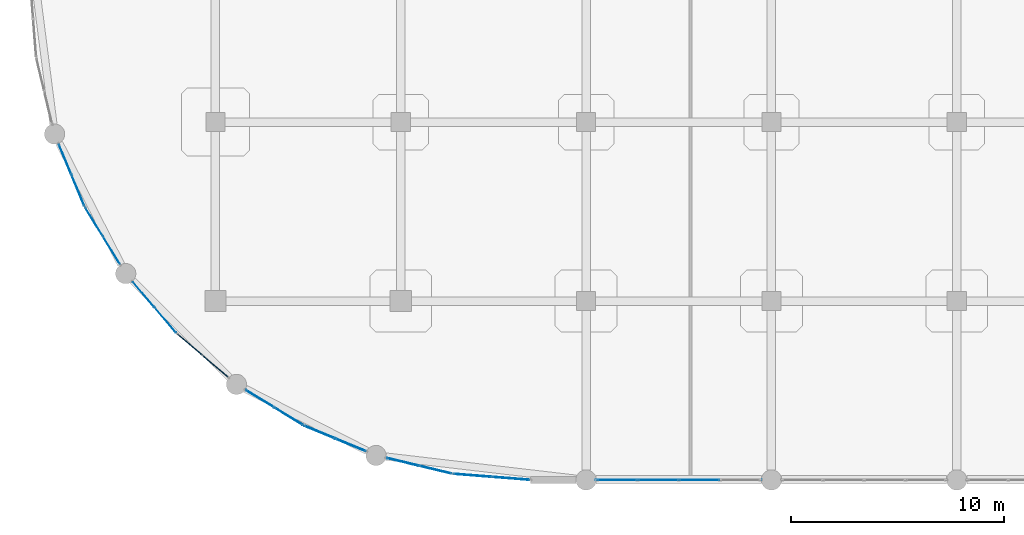
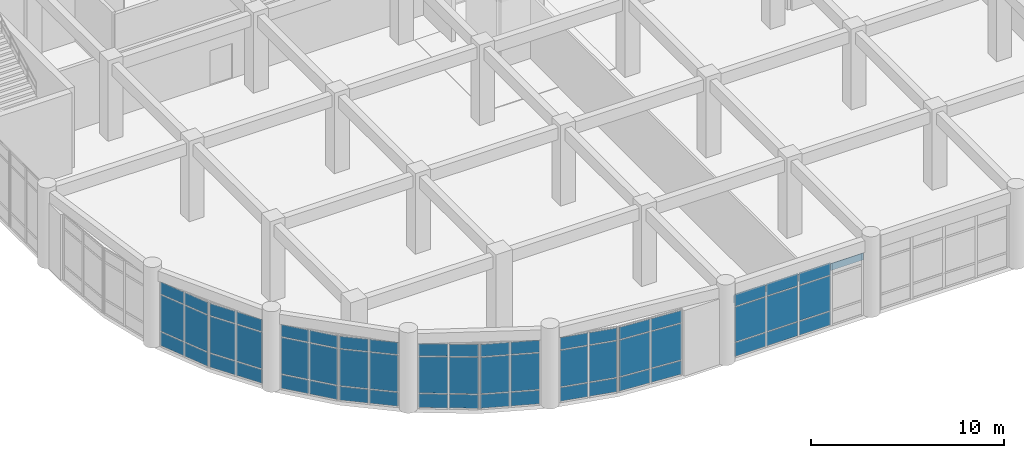
# One storey, part 85 of 120: 58 plates, 9 elements without a shape of their own.
"""IFC4 building model written with IfcOpenShell, lengths in metres."""

from ifc_helpers import new_model, si_unit, derived_unit, direction, frame, origin, origin_2d, place, context, subcontext, project, spatial, rectangle, extrude, material, layer, layer_set, type_object, element, aggregate, save


model = new_model("IFC4")

# Units and contexts
model_context = context("Model", 3, precision=1e-05, world=origin(), true_north=direction((0.0, 1.0)))
body_context = subcontext(model_context, "Body", "Model", "MODEL_VIEW")
ifc_project = project(units=[si_unit("LENGTHUNIT", "METRE"), si_unit("AREAUNIT", "SQUARE_METRE"), si_unit("VOLUMEUNIT", "CUBIC_METRE"), si_unit("PLANEANGLEUNIT", "RADIAN"), si_unit("MASSUNIT", "GRAM", prefix="KILO"), derived_unit("THERMALTRANSMITTANCEUNIT", [(si_unit("MASSUNIT", "GRAM", prefix="KILO"), 1), (si_unit("TIMEUNIT", "SECOND"), -3), (si_unit("THERMODYNAMICTEMPERATUREUNIT", "KELVIN"), -1)])], contexts=[model_context])

# Site, building, storey
site_placement = place(None, origin())
site = spatial("IfcSite", under=ifc_project, at=site_placement, CompositionType="ELEMENT")
building_placement = place(site_placement, origin())
building = spatial("IfcBuilding", under=site, at=building_placement, Name="Qinzheling Arcade Emporium", CompositionType="ELEMENT")
storey_placement = place(building_placement, frame((0.0, 0.0, 11.39990234375)))
storey = spatial("IfcBuildingStorey", under=building, at=storey_placement, Name="L03", CompositionType="ELEMENT", Elevation=11.39990234375)

# Curtain wall, plates
ifc_material_1 = material(Name="Anodised aluminium and solar-control double glazing", Category="aluminium")
ifc_layer_1 = layer(ifc_material_1, 0.159912109375, Name="Anodised aluminium and solar-control double glazing", Category="aluminium")
ifc_layer_set_1 = layer_set([ifc_layer_1], Name="Anodised aluminium and solar-control double glazing")
curtain_wall_type_1 = type_object("IfcCurtainWallType", Name="Curved Ribbon Sales Curtain Wall", PredefinedType="NOTDEFINED", material=ifc_layer_set_1)
curtain_wall_1_placement = place(storey_placement, origin())
curtain_wall_1 = element("IfcCurtainWall", 1, at=curtain_wall_1_placement, inside=storey, type_object=curtain_wall_type_1, Name="Curtain Wall CW-L03-158", PredefinedType="NOTDEFINED")
ifc_material_2 = material(Name="Laminated solar-control double glazing", Category="glass")
ifc_layer_2 = layer(ifc_material_2, 0.02099609375, Name="Laminated solar-control double glazing", Category="glass")
ifc_layer_set_2 = layer_set([ifc_layer_2], Name="Laminated solar-control double glazing")
plate_type_1 = type_object("IfcPlateType", Name="Low-E Double Glazed Curtain Panel 21mm", PredefinedType="CURTAIN_PANEL", material=ifc_layer_set_2)
plate_1_placement = place(storey_placement, frame((6.35205078125, 7.504638671875, 0.06005859375), z_axis=(0.0, 0.0, 1.0), x_axis=(-0.649482098021, 0.760376883098, 0.0)))
plate_1 = element("IfcPlate", 2, at=plate_1_placement, type_object=plate_type_1, Name="CW02 panel 1.1", PredefinedType="CURTAIN_PANEL", context=body_context, shape_type="SweptSolid", body=[
    extrude(rectangle(XDim=1.51513671875, YDim=0.02099609375, at=origin_2d()), origin(), (0.0, 0.0, 1.0), 0.860107421875),
])
plate_2_placement = place(storey_placement, frame((6.35205078125, 7.504638671875, 0.980224609375), z_axis=(0.0, 0.0, 1.0), x_axis=(-0.649482098021, 0.760376883098, 0.0)))
plate_2 = element("IfcPlate", 3, at=plate_2_placement, type_object=plate_type_1, Name="CW02 panel 1.2", PredefinedType="CURTAIN_PANEL", context=body_context, shape_type="SweptSolid", body=[
    extrude(rectangle(XDim=1.51513671875, YDim=0.02099609375, at=origin_2d()), origin(), (0.0, 0.0, 1.0), 2.294921875),
])
plate_3_placement = place(storey_placement, frame((6.35205078125, 7.504638671875, 3.3349609375), z_axis=(0.0, 0.0, 1.0), x_axis=(-0.649482098021, 0.760376883098, 0.0)))
plate_3 = element("IfcPlate", 4, at=plate_3_placement, type_object=plate_type_1, Name="CW02 panel 1.3", PredefinedType="CURTAIN_PANEL", context=body_context, shape_type="SweptSolid", body=[
    extrude(rectangle(XDim=1.51513671875, YDim=0.02099609375, at=origin_2d()), origin(), (0.0, 0.0, 1.0), 0.760009765625),
])
plate_4_placement = place(storey_placement, frame((5.3291015625, 8.702392578125, 0.06005859375), z_axis=(0.0, 0.0, 1.0), x_axis=(-0.649482098021, 0.760376883098, 0.0)))
plate_4 = element("IfcPlate", 5, at=plate_4_placement, type_object=plate_type_1, Name="CW02 panel 2.1", PredefinedType="CURTAIN_PANEL", context=body_context, shape_type="SweptSolid", body=[
    extrude(rectangle(XDim=1.51513671875, YDim=0.02099609375, at=origin_2d()), origin(), (0.0, 0.0, 1.0), 0.860107421875),
])
plate_5_placement = place(storey_placement, frame((5.3291015625, 8.702392578125, 0.980224609375), z_axis=(0.0, 0.0, 1.0), x_axis=(-0.649482098021, 0.760376883098, 0.0)))
plate_5 = element("IfcPlate", 6, at=plate_5_placement, type_object=plate_type_1, Name="CW02 panel 2.2", PredefinedType="CURTAIN_PANEL", context=body_context, shape_type="SweptSolid", body=[
    extrude(rectangle(XDim=1.51513671875, YDim=0.02099609375, at=origin_2d()), origin(), (0.0, 0.0, 1.0), 2.294921875),
])
plate_6_placement = place(storey_placement, frame((5.3291015625, 8.702392578125, 3.3349609375), z_axis=(0.0, 0.0, 1.0), x_axis=(-0.649482098021, 0.760376883098, 0.0)))
plate_6 = element("IfcPlate", 7, at=plate_6_placement, type_object=plate_type_1, Name="CW02 panel 2.3", PredefinedType="CURTAIN_PANEL", context=body_context, shape_type="SweptSolid", body=[
    extrude(rectangle(XDim=1.51513671875, YDim=0.02099609375, at=origin_2d()), origin(), (0.0, 0.0, 1.0), 0.760009765625),
])
aggregate(curtain_wall_1, [plate_1, plate_2, plate_3, plate_4, plate_5, plate_6])

curtain_wall_2_placement = place(storey_placement, origin())
curtain_wall_2 = element("IfcCurtainWall", 8, at=curtain_wall_2_placement, inside=storey, type_object=curtain_wall_type_1, Name="Curtain Wall CW-L03-159", PredefinedType="NOTDEFINED")
ifc_layer_3 = layer(ifc_material_2, 0.02197265625, Name="Laminated solar-control double glazing", Category="glass")
ifc_layer_set_3 = layer_set([ifc_layer_3], Name="Laminated solar-control double glazing")
plate_type_2 = type_object("IfcPlateType", Name="Low-E Double Glazed Curtain Panel 22mm", PredefinedType="CURTAIN_PANEL", material=ifc_layer_set_3)
plate_7_placement = place(storey_placement, frame((3.811767578125, 10.791015625, 0.06005859375), z_axis=(0.0, 0.0, 1.0), x_axis=(-0.522671615243, 0.852534094696, 0.0)))
plate_7 = element("IfcPlate", 9, at=plate_7_placement, type_object=plate_type_2, Name="CW02 panel 1.1", PredefinedType="CURTAIN_PANEL", context=body_context, shape_type="SweptSolid", body=[
    extrude(rectangle(XDim=1.51513671875, YDim=0.02197265625, at=origin_2d()), origin(), (0.0, 0.0, 1.0), 0.860107421875),
])
plate_8_placement = place(storey_placement, frame((3.811767578125, 10.791015625, 0.980224609375), z_axis=(0.0, 0.0, 1.0), x_axis=(-0.522671615243, 0.852534094696, 0.0)))
plate_8 = element("IfcPlate", 10, at=plate_8_placement, type_object=plate_type_2, Name="CW02 panel 1.2", PredefinedType="CURTAIN_PANEL", context=body_context, shape_type="SweptSolid", body=[
    extrude(rectangle(XDim=1.51513671875, YDim=0.02197265625, at=origin_2d()), origin(), (0.0, 0.0, 1.0), 2.294921875),
])
plate_9_placement = place(storey_placement, frame((3.811767578125, 10.791015625, 3.3349609375), z_axis=(0.0, 0.0, 1.0), x_axis=(-0.522671615243, 0.852534094696, 0.0)))
plate_9 = element("IfcPlate", 11, at=plate_9_placement, type_object=plate_type_2, Name="CW02 panel 1.3", PredefinedType="CURTAIN_PANEL", context=body_context, shape_type="SweptSolid", body=[
    extrude(rectangle(XDim=1.51513671875, YDim=0.02197265625, at=origin_2d()), origin(), (0.0, 0.0, 1.0), 0.760009765625),
])
plate_10_placement = place(storey_placement, frame((2.98828125, 12.134033203125, 0.06005859375), z_axis=(0.0, 0.0, 1.0), x_axis=(-0.522671615243, 0.852534094696, 0.0)))
plate_10 = element("IfcPlate", 12, at=plate_10_placement, type_object=plate_type_2, Name="CW02 panel 2.1", PredefinedType="CURTAIN_PANEL", context=body_context, shape_type="SweptSolid", body=[
    extrude(rectangle(XDim=1.51513671875, YDim=0.02197265625, at=origin_2d()), origin(), (0.0, 0.0, 1.0), 0.860107421875),
])
plate_11_placement = place(storey_placement, frame((2.98828125, 12.134033203125, 0.980224609375), z_axis=(0.0, 0.0, 1.0), x_axis=(-0.522671615243, 0.852534094696, 0.0)))
plate_11 = element("IfcPlate", 13, at=plate_11_placement, type_object=plate_type_2, Name="CW02 panel 2.2", PredefinedType="CURTAIN_PANEL", context=body_context, shape_type="SweptSolid", body=[
    extrude(rectangle(XDim=1.51513671875, YDim=0.02197265625, at=origin_2d()), origin(), (0.0, 0.0, 1.0), 2.294921875),
])
plate_12_placement = place(storey_placement, frame((2.98828125, 12.134033203125, 3.3349609375), z_axis=(0.0, 0.0, 1.0), x_axis=(-0.522671615243, 0.852534094696, 0.0)))
plate_12 = element("IfcPlate", 14, at=plate_12_placement, type_object=plate_type_2, Name="CW02 panel 2.3", PredefinedType="CURTAIN_PANEL", context=body_context, shape_type="SweptSolid", body=[
    extrude(rectangle(XDim=1.51513671875, YDim=0.02197265625, at=origin_2d()), origin(), (0.0, 0.0, 1.0), 0.760009765625),
])
aggregate(curtain_wall_2, [plate_7, plate_8, plate_9, plate_10, plate_11, plate_12])

curtain_wall_3_placement = place(storey_placement, origin())
curtain_wall_3 = element("IfcCurtainWall", 15, at=curtain_wall_3_placement, inside=storey, type_object=curtain_wall_type_1, Name="Curtain Wall CW-L03-160", PredefinedType="NOTDEFINED")
ifc_layer_4 = layer(ifc_material_2, 0.02392578125, Name="Laminated solar-control double glazing", Category="glass")
ifc_layer_set_4 = layer_set([ifc_layer_4], Name="Laminated solar-control double glazing")
plate_type_3 = type_object("IfcPlateType", Name="Low-E Double Glazed Curtain Panel 24mm", PredefinedType="CURTAIN_PANEL", material=ifc_layer_set_4)
plate_13_placement = place(storey_placement, frame((2.248291015625, 13.58642578125, 0.06005859375), z_axis=(0.0, 0.0, 1.0), x_axis=(-0.382535212849, 0.923940913117, 0.0)))
plate_13 = element("IfcPlate", 16, at=plate_13_placement, type_object=plate_type_3, Name="CW02 panel 1.1", PredefinedType="CURTAIN_PANEL", context=body_context, shape_type="SweptSolid", body=[
    extrude(rectangle(XDim=1.51513671875, YDim=0.02392578125, at=origin_2d()), origin(), (0.0, 0.0, 1.0), 0.860107421875),
])
plate_14_placement = place(storey_placement, frame((2.248291015625, 13.58642578125, 0.980224609375), z_axis=(0.0, 0.0, 1.0), x_axis=(-0.382535212849, 0.923940913117, 0.0)))
plate_14 = element("IfcPlate", 17, at=plate_14_placement, type_object=plate_type_3, Name="CW02 panel 1.2", PredefinedType="CURTAIN_PANEL", context=body_context, shape_type="SweptSolid", body=[
    extrude(rectangle(XDim=1.51513671875, YDim=0.02392578125, at=origin_2d()), origin(), (0.0, 0.0, 1.0), 2.294921875),
])
plate_15_placement = place(storey_placement, frame((2.248291015625, 13.58642578125, 3.3349609375), z_axis=(0.0, 0.0, 1.0), x_axis=(-0.382535212849, 0.923940913117, 0.0)))
plate_15 = element("IfcPlate", 18, at=plate_15_placement, type_object=plate_type_3, Name="CW02 panel 1.3", PredefinedType="CURTAIN_PANEL", context=body_context, shape_type="SweptSolid", body=[
    extrude(rectangle(XDim=1.51513671875, YDim=0.02392578125, at=origin_2d()), origin(), (0.0, 0.0, 1.0), 0.760009765625),
])
plate_16_placement = place(storey_placement, frame((1.645751953125, 15.041748046875, 0.06005859375), z_axis=(0.0, 0.0, 1.0), x_axis=(-0.382535212849, 0.923940913117, 0.0)))
plate_16 = element("IfcPlate", 19, at=plate_16_placement, type_object=plate_type_3, Name="CW02 panel 2.1", PredefinedType="CURTAIN_PANEL", context=body_context, shape_type="SweptSolid", body=[
    extrude(rectangle(XDim=1.51513671875, YDim=0.02392578125, at=origin_2d()), origin(), (0.0, 0.0, 1.0), 0.860107421875),
])
plate_17_placement = place(storey_placement, frame((1.645751953125, 15.041748046875, 0.980224609375), z_axis=(0.0, 0.0, 1.0), x_axis=(-0.382535212849, 0.923940913117, 0.0)))
plate_17 = element("IfcPlate", 20, at=plate_17_placement, type_object=plate_type_3, Name="CW02 panel 2.2", PredefinedType="CURTAIN_PANEL", context=body_context, shape_type="SweptSolid", body=[
    extrude(rectangle(XDim=1.51513671875, YDim=0.02392578125, at=origin_2d()), origin(), (0.0, 0.0, 1.0), 2.294921875),
])
plate_18_placement = place(storey_placement, frame((1.645751953125, 15.041748046875, 3.3349609375), z_axis=(0.0, 0.0, 1.0), x_axis=(-0.382535212849, 0.923940913117, 0.0)))
plate_18 = element("IfcPlate", 21, at=plate_18_placement, type_object=plate_type_3, Name="CW02 panel 2.3", PredefinedType="CURTAIN_PANEL", context=body_context, shape_type="SweptSolid", body=[
    extrude(rectangle(XDim=1.51513671875, YDim=0.02392578125, at=origin_2d()), origin(), (0.0, 0.0, 1.0), 0.760009765625),
])
aggregate(curtain_wall_3, [plate_13, plate_14, plate_15, plate_16, plate_17, plate_18])

ifc_layer_5 = layer(ifc_material_1, 0.159912109375, Name="Anodised aluminium and solar-control double glazing", Category="aluminium")
ifc_layer_set_5 = layer_set([ifc_layer_5], Name="Anodised aluminium and solar-control double glazing")
curtain_wall_type_2 = type_object("IfcCurtainWallType", Name="Arcade Portal Glazed Curtain Wall", PredefinedType="NOTDEFINED", material=ifc_layer_set_5)
curtain_wall_4_placement = place(storey_placement, origin())
curtain_wall_4 = element("IfcCurtainWall", 22, at=curtain_wall_4_placement, inside=storey, type_object=curtain_wall_type_2, Name="Curtain Wall CW-L03-152", PredefinedType="NOTDEFINED")
ifc_layer_6 = layer(ifc_material_2, 0.031982421875, Name="Laminated solar-control double glazing", Category="glass")
ifc_layer_set_6 = layer_set([ifc_layer_6], Name="Laminated solar-control double glazing")
plate_type_4 = type_object("IfcPlateType", Name="Low-E Double Glazed Curtain Panel 32mm", PredefinedType="CURTAIN_PANEL", material=ifc_layer_set_6)
plate_19_placement = place(storey_placement, frame((31.418212890625, 0.0, 0.06005859375), z_axis=(0.0, 0.0, 1.0), x_axis=(-1.0, 0.0, 0.0)))
plate_19 = element("IfcPlate", 23, at=plate_19_placement, type_object=plate_type_4, Name="CW05 panel 2.1", PredefinedType="CURTAIN_PANEL", context=body_context, shape_type="SweptSolid", body=[
    extrude(rectangle(XDim=1.87646484375, YDim=0.031982421875, at=origin_2d()), origin(), (0.0, 0.0, 1.0), 0.860107421875),
])
plate_20_placement = place(storey_placement, frame((31.418212890625, 0.0, 0.97998046875), z_axis=(0.0, 0.0, 1.0), x_axis=(-1.0, 0.0, 0.0)))
plate_20 = element("IfcPlate", 24, at=plate_20_placement, type_object=plate_type_4, Name="CW05 panel 2.2", PredefinedType="CURTAIN_PANEL", context=body_context, shape_type="SweptSolid", body=[
    extrude(rectangle(XDim=1.87646484375, YDim=0.031982421875, at=origin_2d()), origin(), (0.0, 0.0, 1.0), 2.195068359375),
])
plate_21_placement = place(storey_placement, frame((31.418212890625, 0.0, 3.23486328125), z_axis=(0.0, 0.0, 1.0), x_axis=(-1.0, 0.0, 0.0)))
plate_21 = element("IfcPlate", 25, at=plate_21_placement, type_object=plate_type_4, Name="CW05 panel 2.3", PredefinedType="CURTAIN_PANEL", context=body_context, shape_type="SweptSolid", body=[
    extrude(rectangle(XDim=1.87646484375, YDim=0.031982421875, at=origin_2d()), origin(), (0.0, 0.0, 1.0), 0.760009765625),
])
plate_22_placement = place(storey_placement, frame((29.481689453125, 0.0, 0.06005859375), z_axis=(0.0, 0.0, 1.0), x_axis=(-1.0, 0.0, 0.0)))
plate_22 = element("IfcPlate", 26, at=plate_22_placement, type_object=plate_type_4, Name="CW05 panel 3.1", PredefinedType="CURTAIN_PANEL", context=body_context, shape_type="SweptSolid", body=[
    extrude(rectangle(XDim=1.87646484375, YDim=0.031982421875, at=origin_2d()), origin(), (0.0, 0.0, 1.0), 0.860107421875),
])
plate_23_placement = place(storey_placement, frame((29.481689453125, 0.0, 0.97998046875), z_axis=(0.0, 0.0, 1.0), x_axis=(-1.0, 0.0, 0.0)))
plate_23 = element("IfcPlate", 27, at=plate_23_placement, type_object=plate_type_4, Name="CW05 panel 3.2", PredefinedType="CURTAIN_PANEL", context=body_context, shape_type="SweptSolid", body=[
    extrude(rectangle(XDim=1.87646484375, YDim=0.031982421875, at=origin_2d()), origin(), (0.0, 0.0, 1.0), 2.195068359375),
])
plate_24_placement = place(storey_placement, frame((29.481689453125, 0.0, 3.23486328125), z_axis=(0.0, 0.0, 1.0), x_axis=(-1.0, 0.0, 0.0)))
plate_24 = element("IfcPlate", 28, at=plate_24_placement, type_object=plate_type_4, Name="CW05 panel 3.3", PredefinedType="CURTAIN_PANEL", context=body_context, shape_type="SweptSolid", body=[
    extrude(rectangle(XDim=1.87646484375, YDim=0.031982421875, at=origin_2d()), origin(), (0.0, 0.0, 1.0), 0.760009765625),
])
plate_25_placement = place(storey_placement, frame((27.560302734375, 0.0, 0.06005859375), z_axis=(0.0, 0.0, 1.0), x_axis=(-1.0, 0.0, 0.0)))
plate_25 = element("IfcPlate", 29, at=plate_25_placement, type_object=plate_type_4, Name="CW05 panel 4.1", PredefinedType="CURTAIN_PANEL", context=body_context, shape_type="SweptSolid", body=[
    extrude(rectangle(XDim=1.846435546875, YDim=0.031982421875, at=origin_2d()), origin(), (0.0, 0.0, 1.0), 0.860107421875),
])
plate_26_placement = place(storey_placement, frame((27.560302734375, 0.0, 0.97998046875), z_axis=(0.0, 0.0, 1.0), x_axis=(-1.0, 0.0, 0.0)))
plate_26 = element("IfcPlate", 30, at=plate_26_placement, type_object=plate_type_4, Name="CW05 panel 4.2", PredefinedType="CURTAIN_PANEL", context=body_context, shape_type="SweptSolid", body=[
    extrude(rectangle(XDim=1.846435546875, YDim=0.031982421875, at=origin_2d()), origin(), (0.0, 0.0, 1.0), 2.195068359375),
])
plate_27_placement = place(storey_placement, frame((27.560302734375, 0.0, 3.23486328125), z_axis=(0.0, 0.0, 1.0), x_axis=(-1.0, 0.0, 0.0)))
plate_27 = element("IfcPlate", 31, at=plate_27_placement, type_object=plate_type_4, Name="CW05 panel 4.3", PredefinedType="CURTAIN_PANEL", context=body_context, shape_type="SweptSolid", body=[
    extrude(rectangle(XDim=1.846435546875, YDim=0.031982421875, at=origin_2d()), origin(), (0.0, 0.0, 1.0), 0.760009765625),
])
aggregate(curtain_wall_4, [plate_19, plate_20, plate_21, plate_22, plate_23, plate_24, plate_25, plate_26, plate_27])

curtain_wall_5_placement = place(storey_placement, origin())
curtain_wall_5 = element("IfcCurtainWall", 32, at=curtain_wall_5_placement, inside=storey, type_object=curtain_wall_type_1, Name="Curtain Wall CW-L03-153", PredefinedType="NOTDEFINED")
ifc_layer_7 = layer(ifc_material_2, 0.033935546875, Name="Laminated solar-control double glazing", Category="glass")
ifc_layer_set_7 = layer_set([ifc_layer_7], Name="Laminated solar-control double glazing")
plate_type_5 = type_object("IfcPlateType", Name="Low-E Double Glazed Curtain Panel 34mm", PredefinedType="CURTAIN_PANEL", material=ifc_layer_set_7)
plate_28_placement = place(storey_placement, frame((22.566162109375, 0.073486328125, 0.06005859375), z_axis=(0.0, 0.0, 1.0), x_axis=(-0.996923852542, 0.078376222365, 0.0)))
plate_28 = element("IfcPlate", 33, at=plate_28_placement, type_object=plate_type_5, Name="CW02 panel 1.1", PredefinedType="CURTAIN_PANEL", context=body_context, shape_type="SweptSolid", body=[
    extrude(rectangle(XDim=1.753662109375, YDim=0.033935546875, at=origin_2d()), origin(), (0.0, 0.0, 1.0), 0.860107421875),
])
plate_29_placement = place(storey_placement, frame((22.566162109375, 0.073486328125, 0.980224609375), z_axis=(0.0, 0.0, 1.0), x_axis=(-0.996923852542, 0.078376222365, 0.0)))
plate_29 = element("IfcPlate", 34, at=plate_29_placement, type_object=plate_type_5, Name="CW02 panel 1.2", PredefinedType="CURTAIN_PANEL", context=body_context, shape_type="SweptSolid", body=[
    extrude(rectangle(XDim=1.753662109375, YDim=0.033935546875, at=origin_2d()), origin(), (0.0, 0.0, 1.0), 2.294921875),
])
plate_30_placement = place(storey_placement, frame((22.566162109375, 0.073486328125, 3.3349609375), z_axis=(0.0, 0.0, 1.0), x_axis=(-0.996923852542, 0.078376222365, 0.0)))
plate_30 = element("IfcPlate", 35, at=plate_30_placement, type_object=plate_type_5, Name="CW02 panel 1.3", PredefinedType="CURTAIN_PANEL", context=body_context, shape_type="SweptSolid", body=[
    extrude(rectangle(XDim=1.753662109375, YDim=0.033935546875, at=origin_2d()), origin(), (0.0, 0.0, 1.0), 0.760009765625),
])
plate_31_placement = place(storey_placement, frame((20.758056640625, 0.215576171875, 0.06005859375), z_axis=(0.0, 0.0, 1.0), x_axis=(-0.996923852542, 0.078376222365, 0.0)))
plate_31 = element("IfcPlate", 36, at=plate_31_placement, type_object=plate_type_5, Name="CW02 panel 2.1", PredefinedType="CURTAIN_PANEL", context=body_context, shape_type="SweptSolid", body=[
    extrude(rectangle(XDim=1.753662109375, YDim=0.033935546875, at=origin_2d()), origin(), (0.0, 0.0, 1.0), 0.860107421875),
])
plate_32_placement = place(storey_placement, frame((20.758056640625, 0.215576171875, 0.980224609375), z_axis=(0.0, 0.0, 1.0), x_axis=(-0.996923852542, 0.078376222365, 0.0)))
plate_32 = element("IfcPlate", 37, at=plate_32_placement, type_object=plate_type_5, Name="CW02 panel 2.2", PredefinedType="CURTAIN_PANEL", context=body_context, shape_type="SweptSolid", body=[
    extrude(rectangle(XDim=1.753662109375, YDim=0.033935546875, at=origin_2d()), origin(), (0.0, 0.0, 1.0), 2.294921875),
])
plate_33_placement = place(storey_placement, frame((20.758056640625, 0.215576171875, 3.3349609375), z_axis=(0.0, 0.0, 1.0), x_axis=(-0.996923852542, 0.078376222365, 0.0)))
plate_33 = element("IfcPlate", 38, at=plate_33_placement, type_object=plate_type_5, Name="CW02 panel 2.3", PredefinedType="CURTAIN_PANEL", context=body_context, shape_type="SweptSolid", body=[
    extrude(rectangle(XDim=1.753662109375, YDim=0.033935546875, at=origin_2d()), origin(), (0.0, 0.0, 1.0), 0.760009765625),
])
aggregate(curtain_wall_5, [plate_28, plate_29, plate_30, plate_31, plate_32, plate_33])

curtain_wall_6_placement = place(storey_placement, origin())
curtain_wall_6 = element("IfcCurtainWall", 39, at=curtain_wall_6_placement, inside=storey, type_object=curtain_wall_type_1, Name="Curtain Wall CW-L03-154", PredefinedType="NOTDEFINED")
ifc_layer_8 = layer(ifc_material_2, 0.035888671875, Name="Laminated solar-control double glazing", Category="glass")
ifc_layer_set_8 = layer_set([ifc_layer_8], Name="Laminated solar-control double glazing")
plate_type_6 = type_object("IfcPlateType", Name="Low-E Double Glazed Curtain Panel 36mm", PredefinedType="CURTAIN_PANEL", material=ifc_layer_set_8)
plate_34_placement = place(storey_placement, frame((19.02880859375, 0.47998046875, 0.06005859375), z_axis=(0.0, 0.0, 1.0), x_axis=(-0.972336391972, 0.233584975646, 0.0)))
plate_34 = element("IfcPlate", 40, at=plate_34_placement, type_object=plate_type_6, Name="CW02 panel 1.1", PredefinedType="CURTAIN_PANEL", context=body_context, shape_type="SweptSolid", body=[
    extrude(rectangle(XDim=1.515380859375, YDim=0.035888671875, at=origin_2d()), origin(), (0.0, 0.0, 1.0), 0.860107421875),
])
plate_35_placement = place(storey_placement, frame((19.02880859375, 0.47998046875, 0.980224609375), z_axis=(0.0, 0.0, 1.0), x_axis=(-0.972336391972, 0.233584975646, 0.0)))
plate_35 = element("IfcPlate", 41, at=plate_35_placement, type_object=plate_type_6, Name="CW02 panel 1.2", PredefinedType="CURTAIN_PANEL", context=body_context, shape_type="SweptSolid", body=[
    extrude(rectangle(XDim=1.515380859375, YDim=0.035888671875, at=origin_2d()), origin(), (0.0, 0.0, 1.0), 2.294921875),
])
plate_36_placement = place(storey_placement, frame((19.02880859375, 0.47998046875, 3.3349609375), z_axis=(0.0, 0.0, 1.0), x_axis=(-0.972336391972, 0.233584975646, 0.0)))
plate_36 = element("IfcPlate", 42, at=plate_36_placement, type_object=plate_type_6, Name="CW02 panel 1.3", PredefinedType="CURTAIN_PANEL", context=body_context, shape_type="SweptSolid", body=[
    extrude(rectangle(XDim=1.515380859375, YDim=0.035888671875, at=origin_2d()), origin(), (0.0, 0.0, 1.0), 0.760009765625),
])
plate_37_placement = place(storey_placement, frame((17.4970703125, 0.847900390625, 0.06005859375), z_axis=(0.0, 0.0, 1.0), x_axis=(-0.972336391972, 0.233584975646, 0.0)))
plate_37 = element("IfcPlate", 43, at=plate_37_placement, type_object=plate_type_6, Name="CW02 panel 2.1", PredefinedType="CURTAIN_PANEL", context=body_context, shape_type="SweptSolid", body=[
    extrude(rectangle(XDim=1.515380859375, YDim=0.035888671875, at=origin_2d()), origin(), (0.0, 0.0, 1.0), 0.860107421875),
])
plate_38_placement = place(storey_placement, frame((17.4970703125, 0.847900390625, 0.980224609375), z_axis=(0.0, 0.0, 1.0), x_axis=(-0.972336391972, 0.233584975646, 0.0)))
plate_38 = element("IfcPlate", 44, at=plate_38_placement, type_object=plate_type_6, Name="CW02 panel 2.2", PredefinedType="CURTAIN_PANEL", context=body_context, shape_type="SweptSolid", body=[
    extrude(rectangle(XDim=1.515380859375, YDim=0.035888671875, at=origin_2d()), origin(), (0.0, 0.0, 1.0), 2.294921875),
])
plate_39_placement = place(storey_placement, frame((17.4970703125, 0.847900390625, 3.3349609375), z_axis=(0.0, 0.0, 1.0), x_axis=(-0.972336391972, 0.233584975646, 0.0)))
plate_39 = element("IfcPlate", 45, at=plate_39_placement, type_object=plate_type_6, Name="CW02 panel 2.3", PredefinedType="CURTAIN_PANEL", context=body_context, shape_type="SweptSolid", body=[
    extrude(rectangle(XDim=1.515380859375, YDim=0.035888671875, at=origin_2d()), origin(), (0.0, 0.0, 1.0), 0.760009765625),
])
aggregate(curtain_wall_6, [plate_34, plate_35, plate_36, plate_37, plate_38, plate_39])

curtain_wall_7_placement = place(storey_placement, origin())
curtain_wall_7 = element("IfcCurtainWall", 46, at=curtain_wall_7_placement, inside=storey, type_object=curtain_wall_type_1, Name="Curtain Wall CW-L03-155", PredefinedType="NOTDEFINED")
ifc_layer_9 = layer(ifc_material_2, 0.0380859375, Name="Laminated solar-control double glazing", Category="glass")
ifc_layer_set_9 = layer_set([ifc_layer_9], Name="Laminated solar-control double glazing")
plate_type_7 = type_object("IfcPlateType", Name="Low-E Double Glazed Curtain Panel 38mm", PredefinedType="CURTAIN_PANEL", material=ifc_layer_set_9)
plate_40_placement = place(storey_placement, frame((15.041748046875, 1.645751953125, 0.06005859375), z_axis=(0.0, 0.0, 1.0), x_axis=(-0.923940913117, 0.382535212849, 0.0)))
plate_40 = element("IfcPlate", 47, at=plate_40_placement, type_object=plate_type_7, Name="CW02 panel 1.1", PredefinedType="CURTAIN_PANEL", context=body_context, shape_type="SweptSolid", body=[
    extrude(rectangle(XDim=1.51513671875, YDim=0.0380859375, at=origin_2d()), origin(), (0.0, 0.0, 1.0), 0.860107421875),
])
plate_41_placement = place(storey_placement, frame((15.041748046875, 1.645751953125, 0.980224609375), z_axis=(0.0, 0.0, 1.0), x_axis=(-0.923940913117, 0.382535212849, 0.0)))
plate_41 = element("IfcPlate", 48, at=plate_41_placement, type_object=plate_type_7, Name="CW02 panel 1.2", PredefinedType="CURTAIN_PANEL", context=body_context, shape_type="SweptSolid", body=[
    extrude(rectangle(XDim=1.51513671875, YDim=0.0380859375, at=origin_2d()), origin(), (0.0, 0.0, 1.0), 2.294921875),
])
plate_42_placement = place(storey_placement, frame((15.041748046875, 1.645751953125, 3.3349609375), z_axis=(0.0, 0.0, 1.0), x_axis=(-0.923940913117, 0.382535212849, 0.0)))
plate_42 = element("IfcPlate", 49, at=plate_42_placement, type_object=plate_type_7, Name="CW02 panel 1.3", PredefinedType="CURTAIN_PANEL", context=body_context, shape_type="SweptSolid", body=[
    extrude(rectangle(XDim=1.51513671875, YDim=0.0380859375, at=origin_2d()), origin(), (0.0, 0.0, 1.0), 0.760009765625),
])
plate_43_placement = place(storey_placement, frame((13.58642578125, 2.248291015625, 0.06005859375), z_axis=(0.0, 0.0, 1.0), x_axis=(-0.923940913117, 0.382535212849, 0.0)))
plate_43 = element("IfcPlate", 50, at=plate_43_placement, type_object=plate_type_7, Name="CW02 panel 2.1", PredefinedType="CURTAIN_PANEL", context=body_context, shape_type="SweptSolid", body=[
    extrude(rectangle(XDim=1.51513671875, YDim=0.0380859375, at=origin_2d()), origin(), (0.0, 0.0, 1.0), 0.860107421875),
])
plate_44_placement = place(storey_placement, frame((13.58642578125, 2.248291015625, 0.980224609375), z_axis=(0.0, 0.0, 1.0), x_axis=(-0.923940913117, 0.382535212849, 0.0)))
plate_44 = element("IfcPlate", 51, at=plate_44_placement, type_object=plate_type_7, Name="CW02 panel 2.2", PredefinedType="CURTAIN_PANEL", context=body_context, shape_type="SweptSolid", body=[
    extrude(rectangle(XDim=1.51513671875, YDim=0.0380859375, at=origin_2d()), origin(), (0.0, 0.0, 1.0), 2.294921875),
])
plate_45_placement = place(storey_placement, frame((13.58642578125, 2.248291015625, 3.3349609375), z_axis=(0.0, 0.0, 1.0), x_axis=(-0.923940913117, 0.382535212849, 0.0)))
plate_45 = element("IfcPlate", 52, at=plate_45_placement, type_object=plate_type_7, Name="CW02 panel 2.3", PredefinedType="CURTAIN_PANEL", context=body_context, shape_type="SweptSolid", body=[
    extrude(rectangle(XDim=1.51513671875, YDim=0.0380859375, at=origin_2d()), origin(), (0.0, 0.0, 1.0), 0.760009765625),
])
aggregate(curtain_wall_7, [plate_40, plate_41, plate_42, plate_43, plate_44, plate_45])

curtain_wall_8_placement = place(storey_placement, origin())
curtain_wall_8 = element("IfcCurtainWall", 53, at=curtain_wall_8_placement, inside=storey, type_object=curtain_wall_type_1, Name="Curtain Wall CW-L03-156", PredefinedType="NOTDEFINED")
ifc_layer_10 = layer(ifc_material_2, 0.0400390625, Name="Laminated solar-control double glazing", Category="glass")
ifc_layer_set_10 = layer_set([ifc_layer_10], Name="Laminated solar-control double glazing")
plate_type_8 = type_object("IfcPlateType", Name="Low-E Double Glazed Curtain Panel 40mm", PredefinedType="CURTAIN_PANEL", material=ifc_layer_set_10)
plate_46_placement = place(storey_placement, frame((12.134033203125, 2.98828125, 0.06005859375), z_axis=(0.0, 0.0, 1.0), x_axis=(-0.852534094696, 0.522671615243, 0.0)))
plate_46 = element("IfcPlate", 54, at=plate_46_placement, type_object=plate_type_8, Name="CW02 panel 1.1", PredefinedType="CURTAIN_PANEL", context=body_context, shape_type="SweptSolid", body=[
    extrude(rectangle(XDim=1.51513671875, YDim=0.0400390625, at=origin_2d()), origin(), (0.0, 0.0, 1.0), 0.860107421875),
])
plate_47_placement = place(storey_placement, frame((12.134033203125, 2.98828125, 0.980224609375), z_axis=(0.0, 0.0, 1.0), x_axis=(-0.852534094696, 0.522671615243, 0.0)))
plate_47 = element("IfcPlate", 55, at=plate_47_placement, type_object=plate_type_8, Name="CW02 panel 1.2", PredefinedType="CURTAIN_PANEL", context=body_context, shape_type="SweptSolid", body=[
    extrude(rectangle(XDim=1.51513671875, YDim=0.0400390625, at=origin_2d()), origin(), (0.0, 0.0, 1.0), 2.294921875),
])
plate_48_placement = place(storey_placement, frame((12.134033203125, 2.98828125, 3.3349609375), z_axis=(0.0, 0.0, 1.0), x_axis=(-0.852534094696, 0.522671615243, 0.0)))
plate_48 = element("IfcPlate", 56, at=plate_48_placement, type_object=plate_type_8, Name="CW02 panel 1.3", PredefinedType="CURTAIN_PANEL", context=body_context, shape_type="SweptSolid", body=[
    extrude(rectangle(XDim=1.51513671875, YDim=0.0400390625, at=origin_2d()), origin(), (0.0, 0.0, 1.0), 0.760009765625),
])
plate_49_placement = place(storey_placement, frame((10.791015625, 3.811767578125, 0.06005859375), z_axis=(0.0, 0.0, 1.0), x_axis=(-0.852534094696, 0.522671615243, 0.0)))
plate_49 = element("IfcPlate", 57, at=plate_49_placement, type_object=plate_type_8, Name="CW02 panel 2.1", PredefinedType="CURTAIN_PANEL", context=body_context, shape_type="SweptSolid", body=[
    extrude(rectangle(XDim=1.51513671875, YDim=0.0400390625, at=origin_2d()), origin(), (0.0, 0.0, 1.0), 0.860107421875),
])
plate_50_placement = place(storey_placement, frame((10.791015625, 3.811767578125, 0.980224609375), z_axis=(0.0, 0.0, 1.0), x_axis=(-0.852534094696, 0.522671615243, 0.0)))
plate_50 = element("IfcPlate", 58, at=plate_50_placement, type_object=plate_type_8, Name="CW02 panel 2.2", PredefinedType="CURTAIN_PANEL", context=body_context, shape_type="SweptSolid", body=[
    extrude(rectangle(XDim=1.51513671875, YDim=0.0400390625, at=origin_2d()), origin(), (0.0, 0.0, 1.0), 2.294921875),
])
plate_51_placement = place(storey_placement, frame((10.791015625, 3.811767578125, 3.3349609375), z_axis=(0.0, 0.0, 1.0), x_axis=(-0.852534094696, 0.522671615243, 0.0)))
plate_51 = element("IfcPlate", 59, at=plate_51_placement, type_object=plate_type_8, Name="CW02 panel 2.3", PredefinedType="CURTAIN_PANEL", context=body_context, shape_type="SweptSolid", body=[
    extrude(rectangle(XDim=1.51513671875, YDim=0.0400390625, at=origin_2d()), origin(), (0.0, 0.0, 1.0), 0.760009765625),
])
aggregate(curtain_wall_8, [plate_46, plate_47, plate_48, plate_49, plate_50, plate_51])

curtain_wall_9_placement = place(storey_placement, origin())
curtain_wall_9 = element("IfcCurtainWall", 60, at=curtain_wall_9_placement, inside=storey, type_object=curtain_wall_type_1, Name="Curtain Wall CW-L03-157", PredefinedType="NOTDEFINED")
ifc_layer_11 = layer(ifc_material_2, 0.0419921875, Name="Laminated solar-control double glazing", Category="glass")
ifc_layer_set_11 = layer_set([ifc_layer_11], Name="Laminated solar-control double glazing")
plate_type_9 = type_object("IfcPlateType", Name="Low-E Double Glazed Curtain Panel 42mm", PredefinedType="CURTAIN_PANEL", material=ifc_layer_set_11)
plate_52_placement = place(storey_placement, frame((8.702392578125, 5.3291015625, 0.06005859375), z_axis=(0.0, 0.0, 1.0), x_axis=(-0.760376883098, 0.649482098021, 0.0)))
plate_52 = element("IfcPlate", 61, at=plate_52_placement, type_object=plate_type_9, Name="CW02 panel 1.1", PredefinedType="CURTAIN_PANEL", context=body_context, shape_type="SweptSolid", body=[
    extrude(rectangle(XDim=1.51513671875, YDim=0.0419921875, at=origin_2d()), origin(), (0.0, 0.0, 1.0), 0.860107421875),
])
plate_53_placement = place(storey_placement, frame((8.702392578125, 5.3291015625, 0.980224609375), z_axis=(0.0, 0.0, 1.0), x_axis=(-0.760376883098, 0.649482098021, 0.0)))
plate_53 = element("IfcPlate", 62, at=plate_53_placement, type_object=plate_type_9, Name="CW02 panel 1.2", PredefinedType="CURTAIN_PANEL", context=body_context, shape_type="SweptSolid", body=[
    extrude(rectangle(XDim=1.51513671875, YDim=0.0419921875, at=origin_2d()), origin(), (0.0, 0.0, 1.0), 2.294921875),
])
plate_54_placement = place(storey_placement, frame((8.702392578125, 5.3291015625, 3.3349609375), z_axis=(0.0, 0.0, 1.0), x_axis=(-0.760376883098, 0.649482098021, 0.0)))
plate_54 = element("IfcPlate", 63, at=plate_54_placement, type_object=plate_type_9, Name="CW02 panel 1.3", PredefinedType="CURTAIN_PANEL", context=body_context, shape_type="SweptSolid", body=[
    extrude(rectangle(XDim=1.51513671875, YDim=0.0419921875, at=origin_2d()), origin(), (0.0, 0.0, 1.0), 0.760009765625),
])
plate_55_placement = place(storey_placement, frame((7.504638671875, 6.35205078125, 0.06005859375), z_axis=(0.0, 0.0, 1.0), x_axis=(-0.760376883098, 0.649482098021, 0.0)))
plate_55 = element("IfcPlate", 64, at=plate_55_placement, type_object=plate_type_9, Name="CW02 panel 2.1", PredefinedType="CURTAIN_PANEL", context=body_context, shape_type="SweptSolid", body=[
    extrude(rectangle(XDim=1.51513671875, YDim=0.0419921875, at=origin_2d()), origin(), (0.0, 0.0, 1.0), 0.860107421875),
])
plate_56_placement = place(storey_placement, frame((7.504638671875, 6.35205078125, 0.980224609375), z_axis=(0.0, 0.0, 1.0), x_axis=(-0.760376883098, 0.649482098021, 0.0)))
plate_56 = element("IfcPlate", 65, at=plate_56_placement, type_object=plate_type_9, Name="CW02 panel 2.2", PredefinedType="CURTAIN_PANEL", context=body_context, shape_type="SweptSolid", body=[
    extrude(rectangle(XDim=1.51513671875, YDim=0.0419921875, at=origin_2d()), origin(), (0.0, 0.0, 1.0), 2.294921875),
])
plate_57_placement = place(storey_placement, frame((7.504638671875, 6.35205078125, 3.3349609375), z_axis=(0.0, 0.0, 1.0), x_axis=(-0.760376883098, 0.649482098021, 0.0)))
plate_57 = element("IfcPlate", 66, at=plate_57_placement, type_object=plate_type_9, Name="CW02 panel 2.3", PredefinedType="CURTAIN_PANEL", context=body_context, shape_type="SweptSolid", body=[
    extrude(rectangle(XDim=1.51513671875, YDim=0.0419921875, at=origin_2d()), origin(), (0.0, 0.0, 1.0), 0.760009765625),
])
aggregate(curtain_wall_9, [plate_52, plate_53, plate_54, plate_55, plate_56, plate_57])

# Plate
ifc_material_3 = material(Name="Perforated anodised aluminium sheet", Category="aluminium")
ifc_layer_12 = layer(ifc_material_3, 0.014892578125, Name="Perforated anodised aluminium sheet", Category="aluminium")
ifc_layer_set_12 = layer_set([ifc_layer_12], Name="Perforated anodised aluminium sheet")
plate_type_10 = type_object("IfcPlateType", Name="Typhoon Storm Louvre Blade 15mm", PredefinedType="SHEET", material=ifc_layer_set_12)
plate_58_placement = place(storey_placement, frame((30.449951171875, 0.0, 3.47998046875), z_axis=(0.0, 0.0, 1.0), x_axis=(-1.0, 0.0, 0.0)))
element("IfcPlate", 67, at=plate_58_placement, inside=storey, type_object=plate_type_10, Name="Storm Louvre PLT-SLV-L03-037", PredefinedType="SHEET", context=body_context, shape_type="SweptSolid", body=[
    extrude(rectangle(XDim=7.77587890625, YDim=0.014892578125, at=origin_2d()), origin(), (0.0, 0.0, 1.0), 0.449951171875),
])

save(model, "model.ifc")
